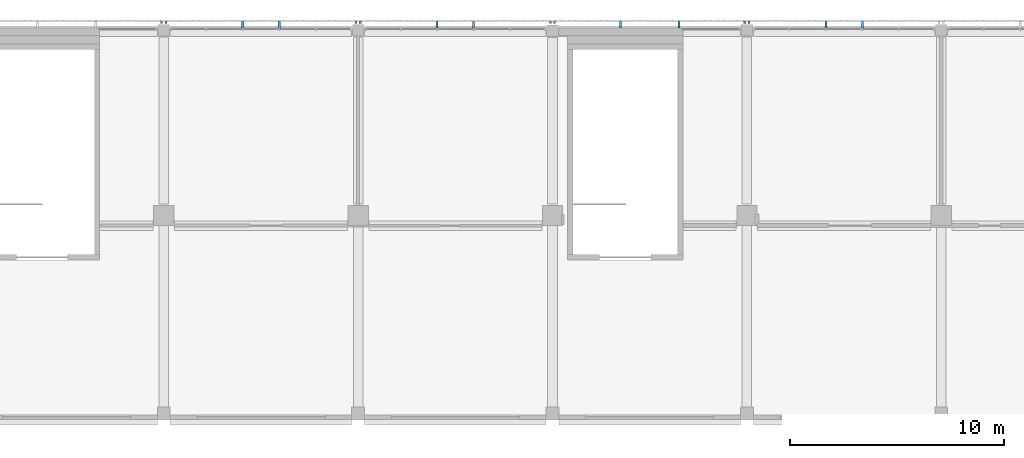
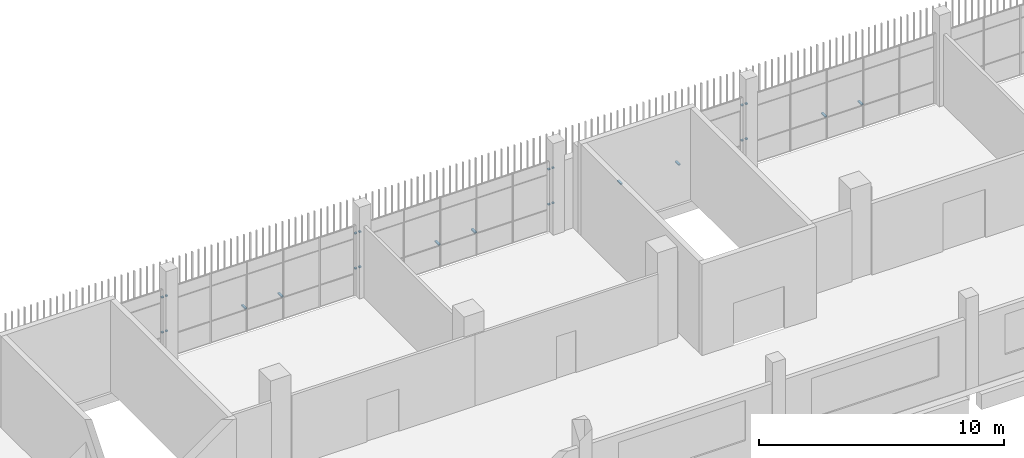
# One storey, part 82 of 104: 24 discrete accessories.
"""IFC4 building model written with IfcOpenShell, lengths in metres."""

from ifc_helpers import new_model, si_unit, direction, frame, origin, origin_2d, place, context, subcontext, project, spatial, rectangle, extrude, material, type_object, element, save


model = new_model("IFC4")

# Units and contexts
model_context = context("Model", 3, precision=1e-05, world=origin(), true_north=direction((0.0, 1.0)))
body_context = subcontext(model_context, "Body", "Model", "MODEL_VIEW")
ifc_project = project(units=[si_unit("LENGTHUNIT", "METRE"), si_unit("AREAUNIT", "SQUARE_METRE"), si_unit("VOLUMEUNIT", "CUBIC_METRE"), si_unit("PLANEANGLEUNIT", "RADIAN"), si_unit("MASSUNIT", "GRAM", prefix="KILO")], contexts=[model_context])

# Site, building, storey
site_placement = place(None, origin())
site = spatial("IfcSite", under=ifc_project, at=site_placement, CompositionType="ELEMENT")
building_placement = place(site_placement, origin())
building = spatial("IfcBuilding", under=site, at=building_placement, Name="Shirokan Park Arena", CompositionType="ELEMENT")
storey_placement = place(building_placement, frame((0.0, 0.0, 10.919921875)))
storey = spatial("IfcBuildingStorey", under=building, at=storey_placement, Name="L02", CompositionType="ELEMENT", Elevation=10.919921875)

# Discrete accessories
ifc_material = material(Name="Steel S355", Category="steel")
discrete_accessory_type = type_object("IfcDiscreteAccessoryType", Name="Veil bracket 100x60", PredefinedType="BRACKET", material=ifc_material)
for number, where, z_axis, x_axis, name in (
    (1, (91.10009765625, 109.597412109375, 1.070068359375), (0.0, 0.0, 1.0), (-1.0, 0.0, 0.0), "Veil bracket north bay 6 L02 2"),
    (2, (91.10009765625, 109.597412109375, 2.820068359375), (0.0, 0.0, 1.0), (-1.0, 0.0, 0.0), "Veil bracket north bay 6 L02 4"),
):
    element("IfcDiscreteAccessory", number, at=place(storey_placement, frame(where, z_axis=z_axis, x_axis=x_axis)), inside=storey, type_object=discrete_accessory_type, Name=name, PredefinedType="BRACKET", context=body_context, shape_type="SweptSolid", body=[
        extrude(rectangle(XDim=0.10009765625, YDim=0.094970703125, at=origin_2d()), origin(), (0.0, 0.0, 1.0), 0.06005859375),
    ])
for number, where, z_axis, x_axis, name in (
    (3, (96.405029296875, 109.485107421875, 1.070068359375), (0.0, 0.0, 1.0), (-1.0, 0.0, 0.0), "Veil bracket north bay 6 L02 wall 1"),
    (4, (94.695068359375, 109.485107421875, 1.070068359375), (0.0, 0.0, 1.0), (-1.0, 0.0, 0.0), "Veil bracket north bay 6 L02 wall 2"),
):
    element("IfcDiscreteAccessory", number, at=place(storey_placement, frame(where, z_axis=z_axis, x_axis=x_axis)), inside=storey, type_object=discrete_accessory_type, Name=name, PredefinedType="BRACKET", context=body_context, shape_type="SweptSolid", body=[
        extrude(rectangle(XDim=0.10009765625, YDim=0.320068359375, at=origin_2d()), origin(), (0.0, 0.0, 1.0), 0.06005859375),
    ])
for number, where, z_axis, x_axis, name in (
    (5, (90.89990234375, 109.597412109375, 1.070068359375), (0.0, 0.0, 1.0), (-1.0, 0.0, 0.0), "Veil bracket north bay 7 L02 1"),
    (6, (82.0, 109.597412109375, 1.070068359375), (0.0, 0.0, 1.0), (-1.0, 0.0, 0.0), "Veil bracket north bay 7 L02 2"),
    (7, (90.89990234375, 109.597412109375, 2.820068359375), (0.0, 0.0, 1.0), (-1.0, 0.0, 0.0), "Veil bracket north bay 7 L02 3"),
    (8, (82.0, 109.597412109375, 2.820068359375), (0.0, 0.0, 1.0), (-1.0, 0.0, 0.0), "Veil bracket north bay 7 L02 4"),
):
    element("IfcDiscreteAccessory", number, at=place(storey_placement, frame(where, z_axis=z_axis, x_axis=x_axis)), inside=storey, type_object=discrete_accessory_type, Name=name, PredefinedType="BRACKET", context=body_context, shape_type="SweptSolid", body=[
        extrude(rectangle(XDim=0.10009765625, YDim=0.094970703125, at=origin_2d()), origin(), (0.0, 0.0, 1.0), 0.06005859375),
    ])
for number, where, z_axis, x_axis, name in (
    (9, (87.81494140625, 109.49755859375, 1.070068359375), (0.0, 0.0, 1.0), (-1.0, 0.0, 0.0), "Veil bracket north bay 7 L02 wall 1"),
    (10, (85.0849609375, 109.49755859375, 1.070068359375), (0.0, 0.0, 1.0), (-1.0, 0.0, 0.0), "Veil bracket north bay 7 L02 wall 2"),
):
    element("IfcDiscreteAccessory", number, at=place(storey_placement, frame(where, z_axis=z_axis, x_axis=x_axis)), inside=storey, type_object=discrete_accessory_type, Name=name, PredefinedType="BRACKET", context=body_context, shape_type="SweptSolid", body=[
        extrude(rectangle(XDim=0.10009765625, YDim=0.294921875, at=origin_2d()), origin(), (0.0, 0.0, 1.0), 0.06005859375),
    ])
for number, where, z_axis, x_axis, name in (
    (11, (81.800048828125, 109.597412109375, 1.070068359375), (0.0, 0.0, 1.0), (-1.0, 0.0, 0.0), "Veil bracket north bay 8 L02 1"),
    (12, (72.89990234375, 109.597412109375, 1.070068359375), (0.0, 0.0, 1.0), (-1.0, 0.0, 0.0), "Veil bracket north bay 8 L02 2"),
    (13, (81.800048828125, 109.597412109375, 2.820068359375), (0.0, 0.0, 1.0), (-1.0, 0.0, 0.0), "Veil bracket north bay 8 L02 3"),
    (14, (72.89990234375, 109.597412109375, 2.820068359375), (0.0, 0.0, 1.0), (-1.0, 0.0, 0.0), "Veil bracket north bay 8 L02 4"),
):
    element("IfcDiscreteAccessory", number, at=place(storey_placement, frame(where, z_axis=z_axis, x_axis=x_axis)), inside=storey, type_object=discrete_accessory_type, Name=name, PredefinedType="BRACKET", context=body_context, shape_type="SweptSolid", body=[
        extrude(rectangle(XDim=0.10009765625, YDim=0.094970703125, at=origin_2d()), origin(), (0.0, 0.0, 1.0), 0.06005859375),
    ])
for number, where, z_axis, x_axis, name in (
    (15, (78.205078125, 109.485107421875, 1.070068359375), (0.0, 0.0, 1.0), (-1.0, 0.0, 0.0), "Veil bracket north bay 8 L02 wall 1"),
    (16, (76.4951171875, 109.485107421875, 1.070068359375), (0.0, 0.0, 1.0), (-1.0, 0.0, 0.0), "Veil bracket north bay 8 L02 wall 2"),
):
    element("IfcDiscreteAccessory", number, at=place(storey_placement, frame(where, z_axis=z_axis, x_axis=x_axis)), inside=storey, type_object=discrete_accessory_type, Name=name, PredefinedType="BRACKET", context=body_context, shape_type="SweptSolid", body=[
        extrude(rectangle(XDim=0.10009765625, YDim=0.320068359375, at=origin_2d()), origin(), (0.0, 0.0, 1.0), 0.06005859375),
    ])
for number, where, z_axis, x_axis, name in (
    (17, (72.699951171875, 109.597412109375, 1.070068359375), (0.0, 0.0, 1.0), (-1.0, 0.0, 0.0), "Veil bracket north bay 9 L02 1"),
    (18, (63.800048828125, 109.597412109375, 1.070068359375), (0.0, 0.0, 1.0), (-1.0, 0.0, 0.0), "Veil bracket north bay 9 L02 2"),
    (19, (72.699951171875, 109.597412109375, 2.820068359375), (0.0, 0.0, 1.0), (-1.0, 0.0, 0.0), "Veil bracket north bay 9 L02 3"),
    (20, (63.800048828125, 109.597412109375, 2.820068359375), (0.0, 0.0, 1.0), (-1.0, 0.0, 0.0), "Veil bracket north bay 9 L02 4"),
):
    element("IfcDiscreteAccessory", number, at=place(storey_placement, frame(where, z_axis=z_axis, x_axis=x_axis)), inside=storey, type_object=discrete_accessory_type, Name=name, PredefinedType="BRACKET", context=body_context, shape_type="SweptSolid", body=[
        extrude(rectangle(XDim=0.10009765625, YDim=0.094970703125, at=origin_2d()), origin(), (0.0, 0.0, 1.0), 0.06005859375),
    ])
for number, where, z_axis, x_axis, name in (
    (21, (69.10498046875, 109.485107421875, 1.070068359375), (0.0, 0.0, 1.0), (-1.0, 0.0, 0.0), "Veil bracket north bay 9 L02 wall 1"),
    (22, (67.39501953125, 109.485107421875, 1.070068359375), (0.0, 0.0, 1.0), (-1.0, 0.0, 0.0), "Veil bracket north bay 9 L02 wall 2"),
):
    element("IfcDiscreteAccessory", number, at=place(storey_placement, frame(where, z_axis=z_axis, x_axis=x_axis)), inside=storey, type_object=discrete_accessory_type, Name=name, PredefinedType="BRACKET", context=body_context, shape_type="SweptSolid", body=[
        extrude(rectangle(XDim=0.10009765625, YDim=0.320068359375, at=origin_2d()), origin(), (0.0, 0.0, 1.0), 0.06005859375),
    ])
for number, where, z_axis, x_axis, name in (
    (23, (63.60009765625, 109.597412109375, 1.070068359375), (0.0, 0.0, 1.0), (-1.0, 0.0, 0.0), "Veil bracket north bay 10 L02 1"),
    (24, (63.60009765625, 109.597412109375, 2.820068359375), (0.0, 0.0, 1.0), (-1.0, 0.0, 0.0), "Veil bracket north bay 10 L02 3"),
):
    element("IfcDiscreteAccessory", number, at=place(storey_placement, frame(where, z_axis=z_axis, x_axis=x_axis)), inside=storey, type_object=discrete_accessory_type, Name=name, PredefinedType="BRACKET", context=body_context, shape_type="SweptSolid", body=[
        extrude(rectangle(XDim=0.10009765625, YDim=0.094970703125, at=origin_2d()), origin(), (0.0, 0.0, 1.0), 0.06005859375),
    ])

save(model, "model.ifc")
